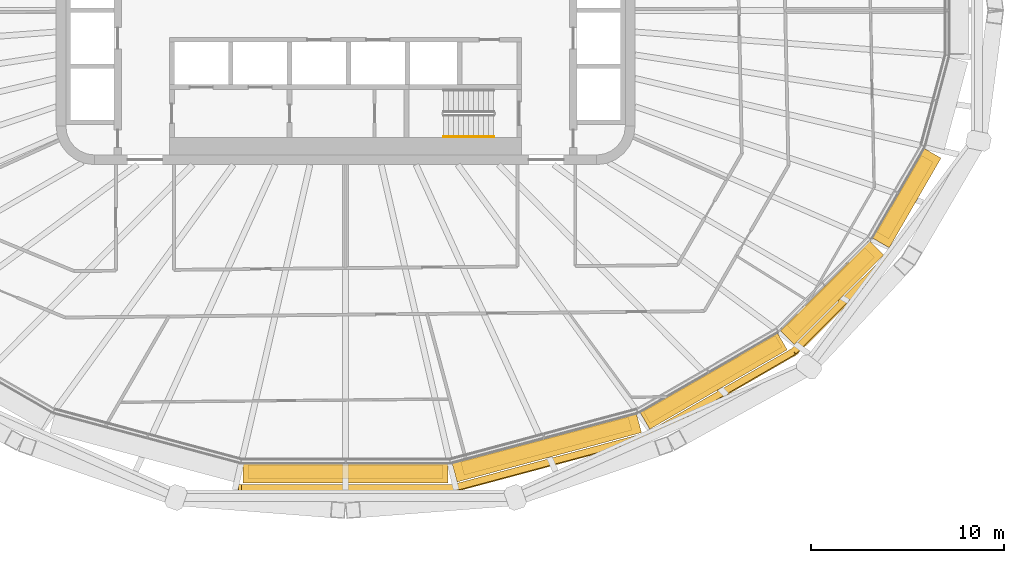
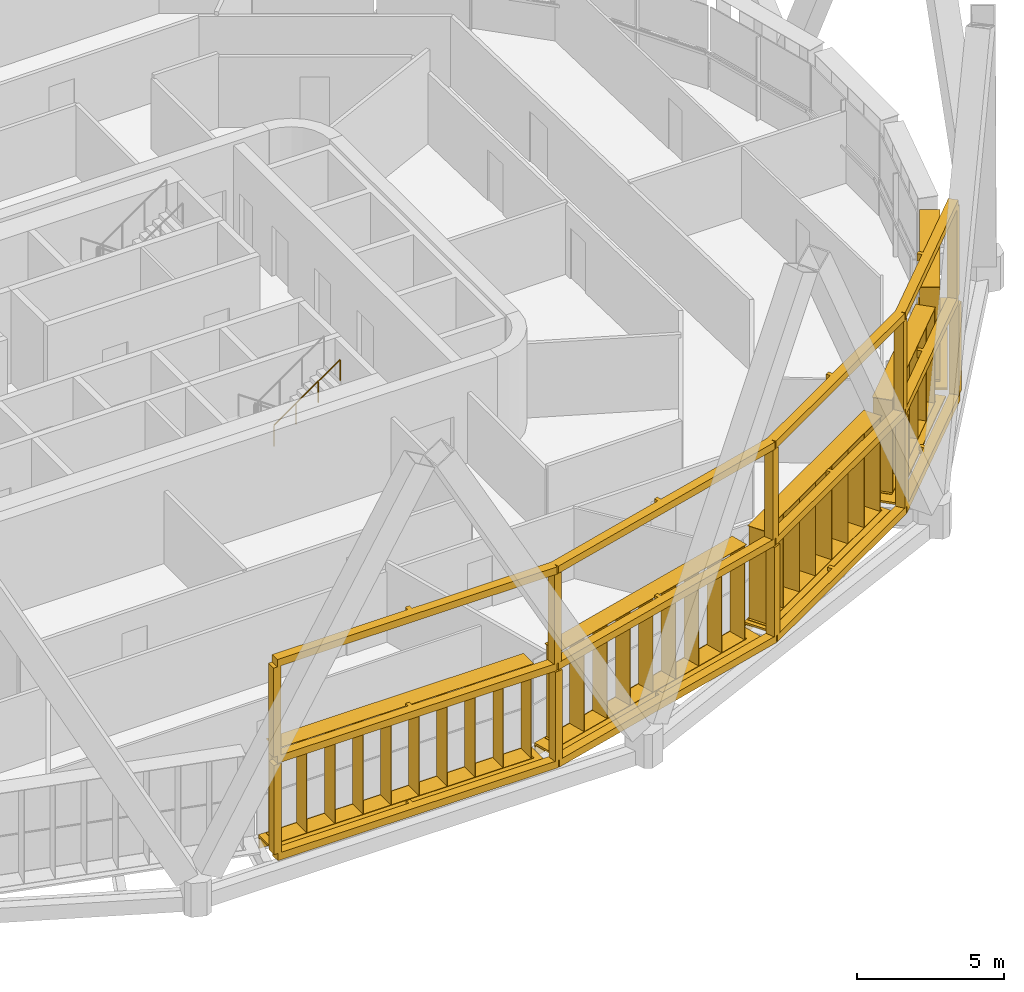
# One storey, part 22 of 25: 11 shading devices, 1 railing.
"""IFC4 building model written with IfcOpenShell, lengths in metres."""

from ifc_helpers import new_model, si_unit, direction, frame, origin, origin_2d, place, context, subcontext, project, spatial, polyline, rectangle, circle, outline, extrude, material, type_object, element, save


model = new_model("IFC4")

# Units and contexts
model_context = context("Model", 3, precision=1e-05, world=origin(), true_north=direction((0.0, 1.0)))
body_context = subcontext(model_context, "Body", "Model", "MODEL_VIEW")
ifc_project = project(units=[si_unit("LENGTHUNIT", "METRE"), si_unit("AREAUNIT", "SQUARE_METRE"), si_unit("VOLUMEUNIT", "CUBIC_METRE"), si_unit("PLANEANGLEUNIT", "RADIAN"), si_unit("MASSUNIT", "GRAM", prefix="KILO")], contexts=[model_context])

# Site, building, storey
site_placement = place(None, origin())
site = spatial("IfcSite", under=ifc_project, at=site_placement, CompositionType="ELEMENT")
building_placement = place(site_placement, origin())
building = spatial("IfcBuilding", under=site, at=building_placement, Name="Sahrelin Media Tower", CompositionType="ELEMENT")
storey_placement = place(building_placement, frame((0.0, 0.0, 165.60009765625)))
storey = spatial("IfcBuildingStorey", under=building, at=storey_placement, Name="L34", CompositionType="ELEMENT", Elevation=165.60009765625)

# Shading devices
ifc_material_1 = material(Name="Dark bronze anodised aluminium 6063-T6", Category="aluminium")
shading_device_type_1 = type_object("IfcShadingDeviceType", Name="Deep frame", PredefinedType="USERDEFINED", material=ifc_material_1)
shading_device_1_placement = place(storey_placement, frame((-5.416748046875, -23.480712890625, 0.0), z_axis=(0.0, 0.0, 1.0), x_axis=(-1.0, 0.0, 0.0)))
element("IfcShadingDevice", 1, at=shading_device_1_placement, inside=storey, type_object=shading_device_type_1, Name="L34:FRAME:F3-3", ObjectType="FRAME", PredefinedType="USERDEFINED", context=body_context, shape_type="SweptSolid", body=[
    extrude(rectangle(XDim=0.300048828125, YDim=0.35009765625, at=origin_2d()), frame((0.0, 1.324951171875, 0.14990234375), z_axis=(0.0, 0.0, 1.0), x_axis=(-1.0, 0.0, 0.0)), (0.0, 0.0, 1.0), 3.7001953125),
    extrude(rectangle(XDim=0.300048828125, YDim=0.35009765625, at=origin_2d()), frame((-11.006591796875, 1.313720703125, 0.14990234375), z_axis=(0.0, 0.0, 1.0), x_axis=(-0.991436202368, -0.130591947046, 0.0)), (0.0, 0.0, 1.0), 3.7001953125),
    extrude(rectangle(XDim=0.300048828125, YDim=0.35009765625, at=origin_2d()), frame((-21.088134765625, -1.3876953125, 0.14990234375), z_axis=(0.0, 0.0, 1.0), x_axis=(-0.923897565017, -0.382639895143, 0.0)), (0.0, 0.0, 1.0), 3.7001953125),
    extrude(rectangle(XDim=0.300048828125, YDim=0.35009765625, at=origin_2d()), frame((-28.681396484375, -5.771728515625, 0.14990234375), z_axis=(0.0, 0.0, 1.0), x_axis=(-0.793352277801, -0.608762813671, 0.0)), (0.0, 0.0, 1.0), 3.7001953125),
    extrude(rectangle(XDim=0.300048828125, YDim=0.35009765625, at=origin_2d()), frame((-33.5908203125, -10.6650390625, 0.14990234375), z_axis=(0.0, 0.0, 1.0), x_axis=(-0.707106781187, -0.707106781187, 0.0)), (0.0, 0.0, 1.0), 3.7001953125),
    extrude(outline(polyline([(-11.006591796875, 1.48876953125), (-11.006591796875, 1.313720703125), (-11.0517578125, 1.482666015625), (-21.13330078125, -1.218505859375), (-21.088134765625, -1.3876953125), (-21.175537109375, -1.236083984375), (-28.76904296875, -5.6201171875), (-28.681396484375, -5.771728515625), (-28.80517578125, -5.647705078125), (-33.71435546875, -10.541015625), (-33.46728515625, -10.788818359375), (-31.126708984375, -8.4560546875), (-31.00341796875, -8.57958984375), (-30.897216796875, -8.473388671875), (-31.0205078125, -8.35009765625), (-28.57421875, -5.911865234375), (-24.8623046875, -3.768798828125), (-24.77783203125, -3.914794921875), (-24.64794921875, -3.83984375), (-24.732421875, -3.693603515625), (-21.0205078125, -1.55078125), (-16.074462890625, -0.225341796875), (-16.03076171875, -0.388427734375), (-15.885986328125, -0.349609375), (-15.9296875, -0.1865234375), (-10.9833984375, 1.138671875), (-5.49169921875, 1.144287109375), (-5.49169921875, 0.969970703125), (-5.341796875, 0.969970703125), (-5.341796875, 1.14453125), (0.000244140625, 1.14990234375), (-0.000244140625, 1.5), (-11.006591796875, 1.48876953125)])), frame((0.0, 0.0, -0.14990234375)), (0.0, 0.0, 1.0), 0.2998046875),
    extrude(rectangle(XDim=0.300048828125, YDim=0.35009765625, at=origin_2d()), frame((-0.011474609375, 1.27294921875, 4.14990234375), z_axis=(0.0, 0.0, 1.0), x_axis=(-1.0, 0.0, 0.0)), (0.0, 0.0, 1.0), 3.7001953125),
    extrude(rectangle(XDim=0.300048828125, YDim=0.35009765625, at=origin_2d()), frame((-10.9951171875, 1.26171875, 4.14990234375), z_axis=(0.0, 0.0, 1.0), x_axis=(-0.991434606813, -0.130604059715, 0.0)), (0.0, 0.0, 1.0), 3.7001953125),
    extrude(rectangle(XDim=0.300048828125, YDim=0.35009765625, at=origin_2d()), frame((-21.055908203125, -1.434326171875, 4.14990234375), z_axis=(0.0, 0.0, 1.0), x_axis=(-0.923897565017, -0.382639895143, 0.0)), (0.0, 0.0, 1.0), 3.7001953125),
    extrude(rectangle(XDim=0.300048828125, YDim=0.35009765625, at=origin_2d()), frame((-28.63330078125, -5.80908203125, 4.14990234375), z_axis=(0.0, 0.0, 1.0), x_axis=(-0.793352277801, -0.608762813671, 0.0)), (0.0, 0.0, 1.0), 3.7001953125),
    extrude(rectangle(XDim=0.300048828125, YDim=0.35009765625, at=origin_2d()), frame((-33.531982421875, -10.69189453125, 4.14990234375), z_axis=(0.0, 0.0, 1.0), x_axis=(-0.707106781187, -0.707106781187, 0.0)), (0.0, 0.0, 1.0), 3.7001953125),
    extrude(outline(polyline([(-10.995361328125, 1.4365234375), (-10.9951171875, 1.26171875), (-11.040283203125, 1.4306640625), (-21.101318359375, -1.26513671875), (-21.055908203125, -1.434326171875), (-21.143310546875, -1.28271484375), (-28.720947265625, -5.657470703125), (-28.63330078125, -5.80908203125), (-28.7568359375, -5.685302734375), (-33.65576171875, -10.56787109375), (-33.40869140625, -10.815673828125), (-31.073486328125, -8.48828125), (-30.949951171875, -8.611572265625), (-30.843994140625, -8.505615234375), (-30.967041015625, -8.38232421875), (-28.526123046875, -5.94921875), (-24.822021484375, -3.810791015625), (-24.73779296875, -3.956787109375), (-24.60791015625, -3.8818359375), (-24.692138671875, -3.735595703125), (-20.98828125, -1.597412109375), (-16.052734375, -0.27490234375), (-16.009033203125, -0.437744140625), (-15.864013671875, -0.39892578125), (-15.90771484375, -0.236083984375), (-10.971923828125, 1.086669921875), (-5.49169921875, 1.09228515625), (-5.49169921875, 0.91796875), (-5.341796875, 0.91796875), (-5.341796875, 1.09228515625), (-0.01123046875, 1.097900390625), (-0.01171875, 1.447998046875), (-10.995361328125, 1.4365234375)])), frame((0.0, 0.0, 3.85009765625)), (0.0, 0.0, 1.0), 0.2998046875),
    extrude(outline(polyline([(-10.995361328125, 1.4365234375), (-10.9951171875, 1.26171875), (-11.040283203125, 1.4306640625), (-21.101318359375, -1.26513671875), (-21.055908203125, -1.434326171875), (-21.143310546875, -1.28271484375), (-28.720947265625, -5.657470703125), (-28.63330078125, -5.80908203125), (-28.7568359375, -5.685302734375), (-33.65576171875, -10.56787109375), (-33.40869140625, -10.815673828125), (-31.073486328125, -8.48828125), (-30.949951171875, -8.611572265625), (-30.843994140625, -8.505615234375), (-30.967041015625, -8.38232421875), (-28.526123046875, -5.94921875), (-24.822021484375, -3.810791015625), (-24.73779296875, -3.956787109375), (-24.60791015625, -3.8818359375), (-24.692138671875, -3.735595703125), (-20.98828125, -1.597412109375), (-16.052734375, -0.27490234375), (-16.009033203125, -0.437744140625), (-15.864013671875, -0.39892578125), (-15.90771484375, -0.236083984375), (-10.971923828125, 1.086669921875), (-5.49169921875, 1.09228515625), (-5.49169921875, 0.91796875), (-5.341796875, 0.91796875), (-5.341796875, 1.09228515625), (-0.01123046875, 1.097900390625), (-0.01171875, 1.447998046875), (-10.995361328125, 1.4365234375)])), frame((0.0, 0.0, 7.85009765625)), (0.0, 0.0, 1.0), 0.2998046875),
])
ifc_material_2 = material(Name="Champagne anodised aluminium 6063-T6", Category="aluminium")
shading_device_type_2 = type_object("IfcShadingDeviceType", Name="Fin cassette", PredefinedType="USERDEFINED", material=ifc_material_2)
placement_1 = place(storey_placement, frame((0.0, -23.480712890625, 0.0), z_axis=(0.0, 0.0, 1.0), x_axis=(-1.0, 0.0, 0.0)))
element("IfcShadingDevice", 2, at=placement_1, inside=storey, type_object=shading_device_type_2, Name="L34:FIN:L34-18", ObjectType="FIN", PredefinedType="USERDEFINED", context=body_context, shape_type="SweptSolid", body=[
    extrude(rectangle(XDim=10.10009765625, YDim=0.699951171875, at=origin_2d()), frame((0.0, 0.419921875, 0.0)), (0.0, 0.0, 1.0), 0.02001953125),
    extrude(rectangle(XDim=10.10009765625, YDim=0.699951171875, at=origin_2d()), frame((0.0, 0.419921875, 3.89990234375)), (0.0, 0.0, 1.0), 0.02001953125),
    extrude(rectangle(XDim=0.02001953125, YDim=0.699951171875, at=origin_2d()), frame((-4.949951171875, 0.419921875, 0.010009765625), z_axis=(0.0, 0.0, 1.0), x_axis=(1.0, 0.0, 0.0)), (0.0, 0.0, 1.0), 3.89990234375),
    extrude(rectangle(XDim=0.02001953125, YDim=0.699951171875, at=origin_2d()), frame((-3.85009765625, 0.419921875, 0.010009765625), z_axis=(0.0, 0.0, 1.0), x_axis=(1.0, 0.0, 0.0)), (0.0, 0.0, 1.0), 3.89990234375),
    extrude(rectangle(XDim=0.02001953125, YDim=0.699951171875, at=origin_2d()), frame((-2.75, 0.419921875, 0.010009765625), z_axis=(0.0, 0.0, 1.0), x_axis=(1.0, 0.0, 0.0)), (0.0, 0.0, 1.0), 3.89990234375),
    extrude(rectangle(XDim=0.02001953125, YDim=0.699951171875, at=origin_2d()), frame((-1.64990234375, 0.419921875, 0.010009765625), z_axis=(0.0, 0.0, 1.0), x_axis=(1.0, 0.0, 0.0)), (0.0, 0.0, 1.0), 3.89990234375),
    extrude(rectangle(XDim=0.02001953125, YDim=0.699951171875, at=origin_2d()), frame((-0.550048828125, 0.419921875, 0.010009765625), z_axis=(0.0, 0.0, 1.0), x_axis=(1.0, 0.0, 0.0)), (0.0, 0.0, 1.0), 3.89990234375),
    extrude(rectangle(XDim=0.02001953125, YDim=0.699951171875, at=origin_2d()), frame((0.550048828125, 0.419921875, 0.010009765625), z_axis=(0.0, 0.0, 1.0), x_axis=(1.0, 0.0, 0.0)), (0.0, 0.0, 1.0), 3.89990234375),
    extrude(rectangle(XDim=0.02001953125, YDim=0.699951171875, at=origin_2d()), frame((1.64990234375, 0.419921875, 0.010009765625), z_axis=(0.0, 0.0, 1.0), x_axis=(1.0, 0.0, 0.0)), (0.0, 0.0, 1.0), 3.89990234375),
    extrude(rectangle(XDim=0.02001953125, YDim=0.699951171875, at=origin_2d()), frame((2.75, 0.419921875, 0.010009765625), z_axis=(0.0, 0.0, 1.0), x_axis=(1.0, 0.0, 0.0)), (0.0, 0.0, 1.0), 3.89990234375),
    extrude(rectangle(XDim=0.02001953125, YDim=0.699951171875, at=origin_2d()), frame((3.85009765625, 0.419921875, 0.010009765625), z_axis=(0.0, 0.0, 1.0), x_axis=(1.0, 0.0, 0.0)), (0.0, 0.0, 1.0), 3.89990234375),
    extrude(rectangle(XDim=0.02001953125, YDim=0.699951171875, at=origin_2d()), frame((4.949951171875, 0.419921875, 0.010009765625), z_axis=(0.0, 0.0, 1.0), x_axis=(1.0, 0.0, 0.0)), (0.0, 0.0, 1.0), 3.89990234375),
])
placement_2 = place(storey_placement, frame((10.29052734375, -22.1748046875, 0.0), z_axis=(0.0, 0.0, 1.0), x_axis=(-0.965928857556, -0.258807731996, 0.0)))
element("IfcShadingDevice", 3, at=placement_2, inside=storey, type_object=shading_device_type_2, Name="L34:FIN:L34-19", ObjectType="FIN", PredefinedType="USERDEFINED", context=body_context, shape_type="SweptSolid", body=[
    extrude(rectangle(XDim=9.0, YDim=0.699951171875, at=origin_2d()), frame((0.0, 0.419921875, 0.0)), (0.0, 0.0, 1.0), 0.02001953125),
    extrude(rectangle(XDim=9.0, YDim=0.699951171875, at=origin_2d()), frame((0.0, 0.419921875, 3.89990234375)), (0.0, 0.0, 1.0), 0.02001953125),
    extrude(rectangle(XDim=0.02001953125, YDim=0.699951171875, at=origin_2d()), frame((-4.39990234375, 0.419921875, 0.010009765625), z_axis=(0.0, 0.0, 1.0), x_axis=(1.0, 0.0, 0.0)), (0.0, 0.0, 1.0), 3.89990234375),
    extrude(rectangle(XDim=0.02001953125, YDim=0.699951171875, at=origin_2d()), frame((-3.300048828125, 0.419921875, 0.010009765625), z_axis=(0.0, 0.0, 1.0), x_axis=(1.0, 0.0, 0.0)), (0.0, 0.0, 1.0), 3.89990234375),
    extrude(rectangle(XDim=0.02001953125, YDim=0.699951171875, at=origin_2d()), frame((-2.199951171875, 0.419921875, 0.010009765625), z_axis=(0.0, 0.0, 1.0), x_axis=(1.0, 0.0, 0.0)), (0.0, 0.0, 1.0), 3.89990234375),
    extrude(rectangle(XDim=0.02001953125, YDim=0.699951171875, at=origin_2d()), frame((-1.10009765625, 0.419921875, 0.010009765625), z_axis=(0.0, 0.0, 1.0), x_axis=(1.0, 0.0, 0.0)), (0.0, 0.0, 1.0), 3.89990234375),
    extrude(rectangle(XDim=0.02001953125, YDim=0.699951171875, at=origin_2d()), frame((0.0, 0.419921875, 0.010009765625), z_axis=(0.0, 0.0, 1.0), x_axis=(1.0, 0.0, 0.0)), (0.0, 0.0, 1.0), 3.89990234375),
    extrude(rectangle(XDim=0.02001953125, YDim=0.699951171875, at=origin_2d()), frame((1.10009765625, 0.419921875, 0.010009765625), z_axis=(0.0, 0.0, 1.0), x_axis=(1.0, 0.0, 0.0)), (0.0, 0.0, 1.0), 3.89990234375),
    extrude(rectangle(XDim=0.02001953125, YDim=0.699951171875, at=origin_2d()), frame((2.199951171875, 0.419921875, 0.010009765625), z_axis=(0.0, 0.0, 1.0), x_axis=(1.0, 0.0, 0.0)), (0.0, 0.0, 1.0), 3.89990234375),
    extrude(rectangle(XDim=0.02001953125, YDim=0.699951171875, at=origin_2d()), frame((3.300048828125, 0.419921875, 0.010009765625), z_axis=(0.0, 0.0, 1.0), x_axis=(1.0, 0.0, 0.0)), (0.0, 0.0, 1.0), 3.89990234375),
    extrude(rectangle(XDim=0.02001953125, YDim=0.699951171875, at=origin_2d()), frame((4.39990234375, 0.419921875, 0.010009765625), z_axis=(0.0, 0.0, 1.0), x_axis=(1.0, 0.0, 0.0)), (0.0, 0.0, 1.0), 3.89990234375),
])
placement_3 = place(storey_placement, frame((18.81103515625, -18.76318359375, 0.0), z_axis=(0.0, 0.0, 1.0), x_axis=(-0.866019052629, -0.500011000363, 0.0)))
element("IfcShadingDevice", 4, at=placement_3, inside=storey, type_object=shading_device_type_2, Name="L34:FIN:L34-20", ObjectType="FIN", PredefinedType="USERDEFINED", context=body_context, shape_type="SweptSolid", body=[
    extrude(rectangle(XDim=7.89990234375, YDim=0.699951171875, at=origin_2d()), frame((0.0, 0.419921875, 0.0)), (0.0, 0.0, 1.0), 0.02001953125),
    extrude(rectangle(XDim=7.89990234375, YDim=0.699951171875, at=origin_2d()), frame((0.0, 0.419921875, 3.89990234375)), (0.0, 0.0, 1.0), 0.02001953125),
    extrude(rectangle(XDim=0.02001953125, YDim=0.699951171875, at=origin_2d()), frame((-3.85009765625, 0.419921875, 0.010009765625), z_axis=(0.0, 0.0, 1.0), x_axis=(1.0, 0.0, 0.0)), (0.0, 0.0, 1.0), 3.89990234375),
    extrude(rectangle(XDim=0.02001953125, YDim=0.699951171875, at=origin_2d()), frame((-2.75, 0.419921875, 0.010009765625), z_axis=(0.0, 0.0, 1.0), x_axis=(1.0, 0.0, 0.0)), (0.0, 0.0, 1.0), 3.89990234375),
    extrude(rectangle(XDim=0.02001953125, YDim=0.699951171875, at=origin_2d()), frame((-1.64990234375, 0.419921875, 0.010009765625), z_axis=(0.0, 0.0, 1.0), x_axis=(1.0, 0.0, 0.0)), (0.0, 0.0, 1.0), 3.89990234375),
    extrude(rectangle(XDim=0.02001953125, YDim=0.699951171875, at=origin_2d()), frame((-0.550048828125, 0.419921875, 0.010009765625), z_axis=(0.0, 0.0, 1.0), x_axis=(1.0, 0.0, 0.0)), (0.0, 0.0, 1.0), 3.89990234375),
    extrude(rectangle(XDim=0.02001953125, YDim=0.699951171875, at=origin_2d()), frame((0.550048828125, 0.419921875, 0.010009765625), z_axis=(0.0, 0.0, 1.0), x_axis=(1.0, 0.0, 0.0)), (0.0, 0.0, 1.0), 3.89990234375),
    extrude(rectangle(XDim=0.02001953125, YDim=0.699951171875, at=origin_2d()), frame((1.64990234375, 0.419921875, 0.010009765625), z_axis=(0.0, 0.0, 1.0), x_axis=(1.0, 0.0, 0.0)), (0.0, 0.0, 1.0), 3.89990234375),
    extrude(rectangle(XDim=0.02001953125, YDim=0.699951171875, at=origin_2d()), frame((2.75, 0.419921875, 0.010009765625), z_axis=(0.0, 0.0, 1.0), x_axis=(1.0, 0.0, 0.0)), (0.0, 0.0, 1.0), 3.89990234375),
    extrude(rectangle(XDim=0.02001953125, YDim=0.699951171875, at=origin_2d()), frame((3.85009765625, 0.419921875, 0.010009765625), z_axis=(0.0, 0.0, 1.0), x_axis=(1.0, 0.0, 0.0)), (0.0, 0.0, 1.0), 3.89990234375),
])
placement_4 = place(storey_placement, frame((24.84765625, -14.268310546875, 0.0), z_axis=(0.0, 0.0, 1.0), x_axis=(-0.707106781187, -0.707106781187, 0.0)))
element("IfcShadingDevice", 5, at=placement_4, inside=storey, type_object=shading_device_type_2, Name="L34:FIN:L34-21", ObjectType="FIN", PredefinedType="USERDEFINED", context=body_context, shape_type="SweptSolid", body=[
    extrude(rectangle(XDim=5.699951171875, YDim=0.699951171875, at=origin_2d()), frame((0.0, 0.419921875, 0.0)), (0.0, 0.0, 1.0), 0.02001953125),
    extrude(rectangle(XDim=5.699951171875, YDim=0.699951171875, at=origin_2d()), frame((0.0, 0.419921875, 3.89990234375)), (0.0, 0.0, 1.0), 0.02001953125),
    extrude(rectangle(XDim=0.02001953125, YDim=0.699951171875, at=origin_2d()), frame((-2.75, 0.419921875, 0.010009765625), z_axis=(0.0, 0.0, 1.0), x_axis=(1.0, 0.0, 0.0)), (0.0, 0.0, 1.0), 3.89990234375),
    extrude(rectangle(XDim=0.02001953125, YDim=0.699951171875, at=origin_2d()), frame((-1.64990234375, 0.419921875, 0.010009765625), z_axis=(0.0, 0.0, 1.0), x_axis=(1.0, 0.0, 0.0)), (0.0, 0.0, 1.0), 3.89990234375),
    extrude(rectangle(XDim=0.02001953125, YDim=0.699951171875, at=origin_2d()), frame((-0.550048828125, 0.419921875, 0.010009765625), z_axis=(0.0, 0.0, 1.0), x_axis=(1.0, 0.0, 0.0)), (0.0, 0.0, 1.0), 3.89990234375),
    extrude(rectangle(XDim=0.02001953125, YDim=0.699951171875, at=origin_2d()), frame((0.550048828125, 0.419921875, 0.010009765625), z_axis=(0.0, 0.0, 1.0), x_axis=(1.0, 0.0, 0.0)), (0.0, 0.0, 1.0), 3.89990234375),
    extrude(rectangle(XDim=0.02001953125, YDim=0.699951171875, at=origin_2d()), frame((1.64990234375, 0.419921875, 0.010009765625), z_axis=(0.0, 0.0, 1.0), x_axis=(1.0, 0.0, 0.0)), (0.0, 0.0, 1.0), 3.89990234375),
    extrude(rectangle(XDim=0.02001953125, YDim=0.699951171875, at=origin_2d()), frame((2.75, 0.419921875, 0.010009765625), z_axis=(0.0, 0.0, 1.0), x_axis=(1.0, 0.0, 0.0)), (0.0, 0.0, 1.0), 3.89990234375),
])
placement_5 = place(storey_placement, frame((28.627685546875, -9.4697265625, 0.0), z_axis=(0.0, 0.0, 1.0), x_axis=(-0.500011000363, -0.866019052629, 0.0)))
element("IfcShadingDevice", 6, at=placement_5, inside=storey, type_object=shading_device_type_2, Name="L34:FIN:L34-22", ObjectType="FIN", PredefinedType="USERDEFINED", context=body_context, shape_type="SweptSolid", body=[
    extrude(rectangle(XDim=4.60009765625, YDim=0.699951171875, at=origin_2d()), frame((0.0, 0.419921875, 0.0)), (0.0, 0.0, 1.0), 0.02001953125),
    extrude(rectangle(XDim=4.60009765625, YDim=0.699951171875, at=origin_2d()), frame((0.0, 0.419921875, 3.89990234375)), (0.0, 0.0, 1.0), 0.02001953125),
    extrude(rectangle(XDim=0.02001953125, YDim=0.699951171875, at=origin_2d()), frame((-2.199951171875, 0.419921875, 0.010009765625), z_axis=(0.0, 0.0, 1.0), x_axis=(1.0, 0.0, 0.0)), (0.0, 0.0, 1.0), 3.89990234375),
    extrude(rectangle(XDim=0.02001953125, YDim=0.699951171875, at=origin_2d()), frame((-1.10009765625, 0.419921875, 0.010009765625), z_axis=(0.0, 0.0, 1.0), x_axis=(1.0, 0.0, 0.0)), (0.0, 0.0, 1.0), 3.89990234375),
    extrude(rectangle(XDim=0.02001953125, YDim=0.699951171875, at=origin_2d()), frame((0.0, 0.419921875, 0.010009765625), z_axis=(0.0, 0.0, 1.0), x_axis=(1.0, 0.0, 0.0)), (0.0, 0.0, 1.0), 3.89990234375),
    extrude(rectangle(XDim=0.02001953125, YDim=0.699951171875, at=origin_2d()), frame((1.10009765625, 0.419921875, 0.010009765625), z_axis=(0.0, 0.0, 1.0), x_axis=(1.0, 0.0, 0.0)), (0.0, 0.0, 1.0), 3.89990234375),
    extrude(rectangle(XDim=0.02001953125, YDim=0.699951171875, at=origin_2d()), frame((2.199951171875, 0.419921875, 0.010009765625), z_axis=(0.0, 0.0, 1.0), x_axis=(1.0, 0.0, 0.0)), (0.0, 0.0, 1.0), 3.89990234375),
])

# Railing
ifc_material_3 = material(Name="Steel S355", Category="steel")
railing_type = type_object("IfcRailingType", Name="Stair handrail 900", PredefinedType="HANDRAIL", material=ifc_material_3)
railing_placement = place(storey_placement, frame((5.074951171875, -6.550048828125, 2.181640625)))
element("IfcRailing", 7, at=railing_placement, inside=storey, type_object=railing_type, Name="L34 ST2 stair handrail 2", PredefinedType="HANDRAIL", context=body_context, shape_type="SweptSolid", body=[
    extrude(circle(Radius=0.02392578125, at=origin_2d()), frame((0.0, 0.0, 0.8759765625), z_axis=(0.819484887739, 0.0, 0.573100792852), x_axis=(0.0, 1.0, 0.0)), (0.0, 0.0, 1.0), 3.1728515625),
    extrude(circle(Radius=0.02099609375, at=origin_2d()), origin(), (0.0, 0.0, 1.0), 0.851806640625),
    extrude(circle(Radius=0.02099609375, at=origin_2d()), frame((0.86669921875, 0.0, 0.606201171875)), (0.0, 0.0, 1.0), 0.851806640625),
    extrude(circle(Radius=0.02099609375, at=origin_2d()), frame((1.7333984375, 0.0, 1.212158203125)), (0.0, 0.0, 1.0), 0.851806640625),
    extrude(circle(Radius=0.02099609375, at=origin_2d()), frame((2.60009765625, 0.0, 1.818359375)), (0.0, 0.0, 1.0), 0.851806640625),
])

# Shading devices
shading_device_type_3 = type_object("IfcShadingDeviceType", Name="Sunshade band", PredefinedType="USERDEFINED", material=ifc_material_2)
element("IfcShadingDevice", 8, at=placement_1, inside=storey, type_object=shading_device_type_3, Name="L34:SUN:L34-18", ObjectType="SUNSHADE", PredefinedType="USERDEFINED", context=body_context, shape_type="SweptSolid", body=[
    extrude(rectangle(XDim=10.633544921875, YDim=0.050048828125, at=origin_2d()), frame((0.0, 0.044921875, -0.55126953125)), (0.0, 0.0, 1.0), 0.471435546875),
    extrude(rectangle(XDim=10.633544921875, YDim=1.0, at=origin_2d()), frame((0.0, 0.52001953125, -0.080078125)), (0.0, 0.0, 1.0), 0.080078125),
    extrude(rectangle(XDim=0.10009765625, YDim=0.074951171875, at=origin_2d()), frame((-5.216796875, -0.017578125, -0.47021484375)), (0.0, 0.0, 1.0), 0.300048828125),
    extrude(rectangle(XDim=0.10009765625, YDim=0.074951171875, at=origin_2d()), frame((-3.477783203125, -0.017578125, -0.47021484375)), (0.0, 0.0, 1.0), 0.300048828125),
    extrude(rectangle(XDim=0.10009765625, YDim=0.074951171875, at=origin_2d()), frame((-1.739013671875, -0.017578125, -0.47021484375)), (0.0, 0.0, 1.0), 0.300048828125),
    extrude(rectangle(XDim=0.10009765625, YDim=0.074951171875, at=origin_2d()), frame((0.0, -0.017578125, -0.47021484375)), (0.0, 0.0, 1.0), 0.300048828125),
    extrude(rectangle(XDim=0.10009765625, YDim=0.074951171875, at=origin_2d()), frame((1.739013671875, -0.017578125, -0.47021484375)), (0.0, 0.0, 1.0), 0.300048828125),
    extrude(rectangle(XDim=0.10009765625, YDim=0.074951171875, at=origin_2d()), frame((3.477783203125, -0.017578125, -0.47021484375)), (0.0, 0.0, 1.0), 0.300048828125),
    extrude(rectangle(XDim=0.10009765625, YDim=0.074951171875, at=origin_2d()), frame((5.216796875, -0.017578125, -0.47021484375)), (0.0, 0.0, 1.0), 0.300048828125),
])
element("IfcShadingDevice", 9, at=placement_2, inside=storey, type_object=shading_device_type_3, Name="L34:SUN:L34-19", ObjectType="SUNSHADE", PredefinedType="USERDEFINED", context=body_context, shape_type="SweptSolid", body=[
    extrude(rectangle(XDim=9.89111328125, YDim=0.050048828125, at=origin_2d()), frame((0.0, 0.044921875, -0.55126953125)), (0.0, 0.0, 1.0), 0.471435546875),
    extrude(rectangle(XDim=9.89111328125, YDim=1.0, at=origin_2d()), frame((0.0, 0.52001953125, -0.080078125)), (0.0, 0.0, 1.0), 0.080078125),
    extrude(rectangle(XDim=0.10009765625, YDim=0.074951171875, at=origin_2d()), frame((-4.845703125, -0.017578125, -0.47021484375)), (0.0, 0.0, 1.0), 0.300048828125),
    extrude(rectangle(XDim=0.10009765625, YDim=0.074951171875, at=origin_2d()), frame((-2.907470703125, -0.017578125, -0.47021484375)), (0.0, 0.0, 1.0), 0.300048828125),
    extrude(rectangle(XDim=0.10009765625, YDim=0.074951171875, at=origin_2d()), frame((-0.968994140625, -0.017578125, -0.47021484375)), (0.0, 0.0, 1.0), 0.300048828125),
    extrude(rectangle(XDim=0.10009765625, YDim=0.074951171875, at=origin_2d()), frame((0.968994140625, -0.017578125, -0.47021484375)), (0.0, 0.0, 1.0), 0.300048828125),
    extrude(rectangle(XDim=0.10009765625, YDim=0.074951171875, at=origin_2d()), frame((2.907470703125, -0.017578125, -0.47021484375)), (0.0, 0.0, 1.0), 0.300048828125),
    extrude(rectangle(XDim=0.10009765625, YDim=0.074951171875, at=origin_2d()), frame((4.845703125, -0.017578125, -0.47021484375)), (0.0, 0.0, 1.0), 0.300048828125),
])
element("IfcShadingDevice", 10, at=placement_3, inside=storey, type_object=shading_device_type_3, Name="L34:SUN:L34-20", ObjectType="SUNSHADE", PredefinedType="USERDEFINED", context=body_context, shape_type="SweptSolid", body=[
    extrude(rectangle(XDim=8.222412109375, YDim=0.050048828125, at=origin_2d()), frame((0.0, 0.044921875, -0.55126953125)), (0.0, 0.0, 1.0), 0.471435546875),
    extrude(rectangle(XDim=8.222412109375, YDim=1.0, at=origin_2d()), frame((0.0, 0.52001953125, -0.080078125)), (0.0, 0.0, 1.0), 0.080078125),
    extrude(rectangle(XDim=0.10009765625, YDim=0.074951171875, at=origin_2d()), frame((-4.010986328125, -0.017578125, -0.47021484375)), (0.0, 0.0, 1.0), 0.300048828125),
    extrude(rectangle(XDim=0.10009765625, YDim=0.074951171875, at=origin_2d()), frame((-2.40673828125, -0.017578125, -0.47021484375)), (0.0, 0.0, 1.0), 0.300048828125),
    extrude(rectangle(XDim=0.10009765625, YDim=0.074951171875, at=origin_2d()), frame((-0.80224609375, -0.017578125, -0.47021484375)), (0.0, 0.0, 1.0), 0.300048828125),
    extrude(rectangle(XDim=0.10009765625, YDim=0.074951171875, at=origin_2d()), frame((0.80224609375, -0.017578125, -0.47021484375)), (0.0, 0.0, 1.0), 0.300048828125),
    extrude(rectangle(XDim=0.10009765625, YDim=0.074951171875, at=origin_2d()), frame((2.40673828125, -0.017578125, -0.47021484375)), (0.0, 0.0, 1.0), 0.300048828125),
    extrude(rectangle(XDim=0.10009765625, YDim=0.074951171875, at=origin_2d()), frame((4.010986328125, -0.017578125, -0.47021484375)), (0.0, 0.0, 1.0), 0.300048828125),
])
element("IfcShadingDevice", 11, at=placement_4, inside=storey, type_object=shading_device_type_3, Name="L34:SUN:L34-21", ObjectType="SUNSHADE", PredefinedType="USERDEFINED", context=body_context, shape_type="SweptSolid", body=[
    extrude(rectangle(XDim=6.55859375, YDim=0.050048828125, at=origin_2d()), frame((0.0, 0.044921875, -0.55126953125)), (0.0, 0.0, 1.0), 0.471435546875),
    extrude(rectangle(XDim=6.55859375, YDim=1.0, at=origin_2d()), frame((0.0, 0.52001953125, -0.080078125)), (0.0, 0.0, 1.0), 0.080078125),
    extrude(rectangle(XDim=0.10009765625, YDim=0.074951171875, at=origin_2d()), frame((-3.17919921875, -0.017578125, -0.47021484375)), (0.0, 0.0, 1.0), 0.300048828125),
    extrude(rectangle(XDim=0.10009765625, YDim=0.074951171875, at=origin_2d()), frame((-1.589599609375, -0.017578125, -0.47021484375)), (0.0, 0.0, 1.0), 0.300048828125),
    extrude(rectangle(XDim=0.10009765625, YDim=0.074951171875, at=origin_2d()), frame((0.0, -0.017578125, -0.47021484375)), (0.0, 0.0, 1.0), 0.300048828125),
    extrude(rectangle(XDim=0.10009765625, YDim=0.074951171875, at=origin_2d()), frame((1.589599609375, -0.017578125, -0.47021484375)), (0.0, 0.0, 1.0), 0.300048828125),
    extrude(rectangle(XDim=0.10009765625, YDim=0.074951171875, at=origin_2d()), frame((3.17919921875, -0.017578125, -0.47021484375)), (0.0, 0.0, 1.0), 0.300048828125),
])
element("IfcShadingDevice", 12, at=placement_5, inside=storey, type_object=shading_device_type_3, Name="L34:SUN:L34-22", ObjectType="SUNSHADE", PredefinedType="USERDEFINED", context=body_context, shape_type="SweptSolid", body=[
    extrude(rectangle(XDim=5.36328125, YDim=0.050048828125, at=origin_2d()), frame((0.0, 0.044921875, -0.55126953125)), (0.0, 0.0, 1.0), 0.471435546875),
    extrude(rectangle(XDim=5.36328125, YDim=1.0, at=origin_2d()), frame((0.0, 0.52001953125, -0.080078125)), (0.0, 0.0, 1.0), 0.080078125),
    extrude(rectangle(XDim=0.10009765625, YDim=0.074951171875, at=origin_2d()), frame((-2.581787109375, -0.017578125, -0.47021484375)), (0.0, 0.0, 1.0), 0.300048828125),
    extrude(rectangle(XDim=0.10009765625, YDim=0.074951171875, at=origin_2d()), frame((-0.860595703125, -0.017578125, -0.47021484375)), (0.0, 0.0, 1.0), 0.300048828125),
    extrude(rectangle(XDim=0.10009765625, YDim=0.074951171875, at=origin_2d()), frame((0.860595703125, -0.017578125, -0.47021484375)), (0.0, 0.0, 1.0), 0.300048828125),
    extrude(rectangle(XDim=0.10009765625, YDim=0.074951171875, at=origin_2d()), frame((2.581787109375, -0.017578125, -0.47021484375)), (0.0, 0.0, 1.0), 0.300048828125),
])

save(model, "model.ifc")
